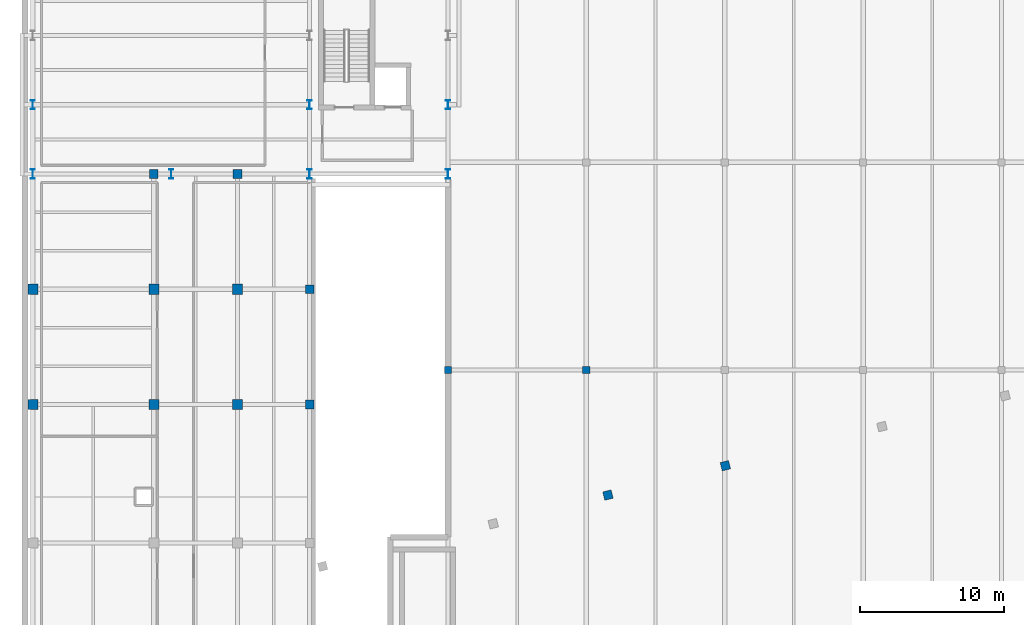
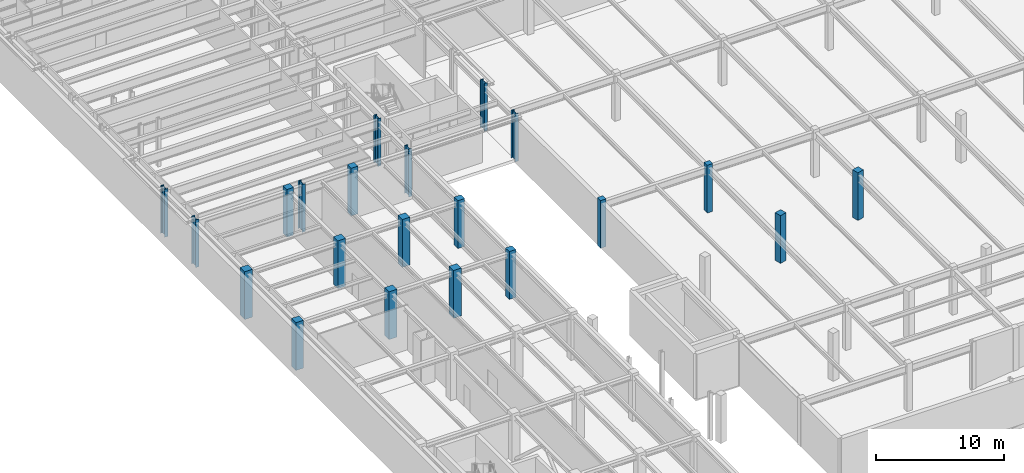
# One storey, part 3 of 32: 21 columns.
"""IFC4 building model written with IfcOpenShell, lengths in metres."""

from ifc_helpers import new_model, si_unit, direction, frame, origin, origin_2d, place, context, subcontext, project, spatial, rectangle, i_section, extrude, material, material_profile, profile_set, type_object, element, save


model = new_model("IFC4")

# Units and contexts
model_context = context("Model", 3, precision=1e-05, world=origin(), true_north=direction((0.0, 1.0)))
body_context = subcontext(model_context, "Body", "Model", "MODEL_VIEW")
ifc_project = project(units=[si_unit("LENGTHUNIT", "METRE"), si_unit("AREAUNIT", "SQUARE_METRE"), si_unit("VOLUMEUNIT", "CUBIC_METRE"), si_unit("PLANEANGLEUNIT", "RADIAN"), si_unit("MASSUNIT", "GRAM", prefix="KILO")], contexts=[model_context])

# Site, building, storey
site_placement = place(None, origin())
site = spatial("IfcSite", under=ifc_project, at=site_placement, CompositionType="ELEMENT")
building_placement = place(site_placement, origin())
building = spatial("IfcBuilding", under=site, at=building_placement, Name="Nordkorset Police Headquarters", CompositionType="ELEMENT")
storey_placement = place(building_placement, frame((0.0, 0.0, -4.550048828125)))
storey = spatial("IfcBuildingStorey", under=building, at=storey_placement, Name="B01", CompositionType="ELEMENT", Elevation=-4.550048828125)

# Columns
ifc_material_1 = material(Name="Steel S355J2", Category="steel")
ifc_material_profile_1 = material_profile(ifc_material_1, i_section(OverallWidth=0.300048828125, OverallDepth=0.64990234375, WebThickness=0.01611328125, FlangeThickness=0.031005859375, FilletRadius=0.027099609375, at=origin_2d()), Name="HEB 650")
ifc_profile_set_1 = profile_set([ifc_material_profile_1], Name="Steel S355J2")
column_type_1 = type_object("IfcColumnType", Name="Col_HEB_650", PredefinedType="COLUMN", material=ifc_profile_set_1)
for number, where, z_axis, x_axis, name in (
    (1, (0.0, 83.199951171875, 0.0), (0.0, 0.0, 1.0), (1.0, 0.0, 0.0), "Structural Column V1_W_0 B01"),
    (2, (28.800048828125, 83.199951171875, 0.0), (0.0, 0.0, 1.0), (1.0, 0.0, 0.0), "Structural Column V1_E_0 B01"),
    (3, (0.0, 88.0, 0.0), (0.0, 0.0, 1.0), (1.0, 0.0, 0.0), "Structural Column V1_W_1 B01"),
    (4, (28.800048828125, 88.0, 0.0), (0.0, 0.0, 1.0), (1.0, 0.0, 0.0), "Structural Column V1_E_1 B01"),
    (5, (9.60009765625, 83.199951171875, 0.0), (0.0, 0.0, 1.0), (1.0, 0.0, 0.0), "Structural Column V1_S_0 B01"),
    (6, (19.199951171875, 83.199951171875, 0.0), (0.0, 0.0, 1.0), (1.0, 0.0, 0.0), "Structural Column V1_S_1 B01"),
    (7, (19.199951171875, 88.0, 0.0), (0.0, 0.0, 1.0), (1.0, 0.0, 0.0), "Structural Column V1_CW_0 B01"),
):
    element("IfcColumn", number, at=place(storey_placement, frame(where, z_axis=z_axis, x_axis=x_axis)), inside=storey, type_object=column_type_1, Name=name, PredefinedType="COLUMN", context=body_context, shape_type="SweptSolid", body=[
        extrude(i_section(OverallWidth=0.300048828125, OverallDepth=0.64990234375, WebThickness=0.01611328125, FlangeThickness=0.031005859375, FilletRadius=0.027099609375, at=origin_2d()), origin(), (0.0, 0.0, 1.0), 4.550048828125),
    ])
ifc_material_2 = material(Name="Concrete C45/55", Category="concrete")
ifc_material_profile_2 = material_profile(ifc_material_2, rectangle(XDim=0.5, YDim=0.5, at=origin_2d()), Name="RC 500x500")
ifc_profile_set_2 = profile_set([ifc_material_profile_2], Name="Concrete C45/55")
column_type_2 = type_object("IfcColumnType", Name="Col_RC_500x500", PredefinedType="COLUMN", material=ifc_profile_set_2)
for number, where, z_axis, x_axis, name in (
    (8, (28.800048828125, 69.60009765625, 0.0), (0.0, 0.0, 1.0), (1.0, 0.0, 0.0), "Structural Column SUB_C_0_2 B01"),
    (9, (38.39990234375, 69.60009765625, 0.0), (0.0, 0.0, 1.0), (1.0, 0.0, 0.0), "Structural Column SUB_C_1_2 B01"),
):
    element("IfcColumn", number, at=place(storey_placement, frame(where, z_axis=z_axis, x_axis=x_axis)), inside=storey, type_object=column_type_2, Name=name, PredefinedType="COLUMN", context=body_context, shape_type="SweptSolid", body=[
        extrude(rectangle(XDim=0.5, YDim=0.5, at=origin_2d()), origin(), (0.0, 0.0, 1.0), 4.550048828125),
    ])
ifc_material_3 = material(Name="Concrete C45/55", Category="concrete")
ifc_material_profile_3 = material_profile(ifc_material_3, rectangle(XDim=0.60009765625, YDim=0.60009765625, at=origin_2d()), Name="RC 600x600")
ifc_profile_set_3 = profile_set([ifc_material_profile_3], Name="Concrete C45/55")
column_type_3 = type_object("IfcColumnType", Name="Col_RC_600x600", PredefinedType="COLUMN", material=ifc_profile_set_3)
for number, where, z_axis, x_axis, name in (
    (10, (19.199951171875, 67.199951171875, 0.0), (0.0, 0.0, 1.0), (1.0, 0.0, 0.0), "Structural Column V3_X3_4 B01"),
    (11, (19.199951171875, 75.199951171875, 0.0), (0.0, 0.0, 1.0), (1.0, 0.0, 0.0), "Structural Column V3_X3_5 B01"),
    (12, (8.39990234375, 83.199951171875, 0.0), (0.0, 0.0, 1.0), (1.0, 0.0, 0.0), "Structural Column V3_X1_6 B01"),
    (13, (14.199951171875, 83.199951171875, 0.0), (0.0, 0.0, 1.0), (1.0, 0.0, 0.0), "Structural Column V3_X2_6 B01"),
    (14, (39.8984375, 60.917724609375, 0.0), (0.0, 0.0, 1.0), (0.970142500145, 0.242535625038, 0.0), "Structural Column V4_U2_V1 B01"),
    (15, (48.047607421875, 62.955078125, 0.0), (0.0, 0.0, 1.0), (0.970142500145, 0.242535625038, 0.0), "Structural Column V4_U3_V1 B01"),
):
    element("IfcColumn", number, at=place(storey_placement, frame(where, z_axis=z_axis, x_axis=x_axis)), inside=storey, type_object=column_type_3, Name=name, PredefinedType="COLUMN", context=body_context, shape_type="SweptSolid", body=[
        extrude(rectangle(XDim=0.60009765625, YDim=0.60009765625, at=origin_2d()), origin(), (0.0, 0.0, 1.0), 4.550048828125),
    ])
ifc_material_4 = material(Name="Concrete C45/55", Category="concrete")
ifc_material_profile_4 = material_profile(ifc_material_4, rectangle(XDim=0.699951171875, YDim=0.699951171875, at=origin_2d()), Name="RC 700x700")
ifc_profile_set_4 = profile_set([ifc_material_profile_4], Name="Concrete C45/55")
column_type_4 = type_object("IfcColumnType", Name="Col_RC_700x700", PredefinedType="COLUMN", material=ifc_profile_set_4)
for number, where, z_axis, x_axis, name in (
    (16, (0.0, 67.199951171875, 0.0), (0.0, 0.0, 1.0), (1.0, 0.0, 0.0), "Structural Column V3_X0_4 B01"),
    (17, (8.39990234375, 67.199951171875, 0.0), (0.0, 0.0, 1.0), (1.0, 0.0, 0.0), "Structural Column V3_X1_4 B01"),
    (18, (14.199951171875, 67.199951171875, 0.0), (0.0, 0.0, 1.0), (1.0, 0.0, 0.0), "Structural Column V3_X2_4 B01"),
    (19, (0.0, 75.199951171875, 0.0), (0.0, 0.0, 1.0), (1.0, 0.0, 0.0), "Structural Column V3_X0_5 B01"),
    (20, (8.39990234375, 75.199951171875, 0.0), (0.0, 0.0, 1.0), (1.0, 0.0, 0.0), "Structural Column V3_X1_5 B01"),
    (21, (14.199951171875, 75.199951171875, 0.0), (0.0, 0.0, 1.0), (1.0, 0.0, 0.0), "Structural Column V3_X2_5 B01"),
):
    element("IfcColumn", number, at=place(storey_placement, frame(where, z_axis=z_axis, x_axis=x_axis)), inside=storey, type_object=column_type_4, Name=name, PredefinedType="COLUMN", context=body_context, shape_type="SweptSolid", body=[
        extrude(rectangle(XDim=0.699951171875, YDim=0.699951171875, at=origin_2d()), origin(), (0.0, 0.0, 1.0), 4.550048828125),
    ])

save(model, "model.ifc")
